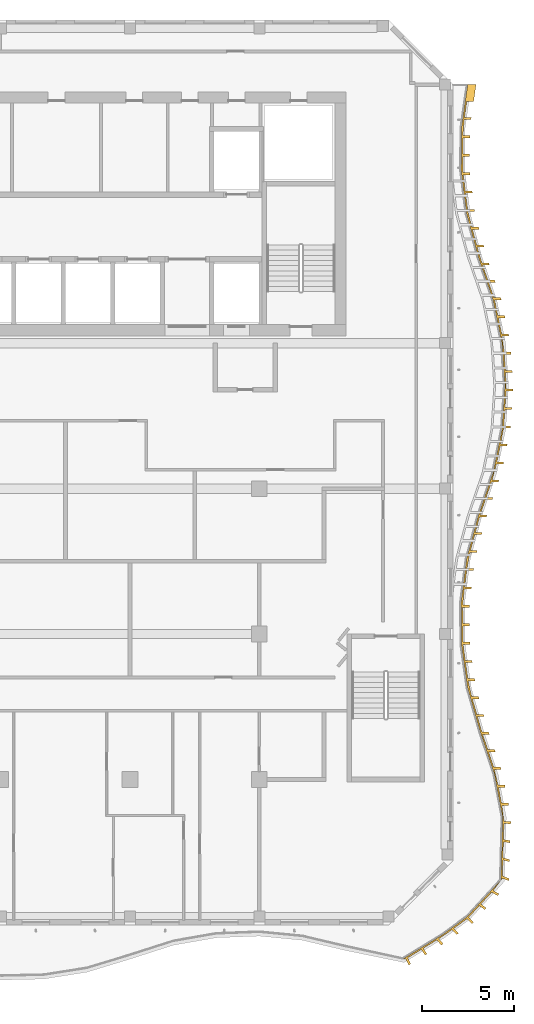
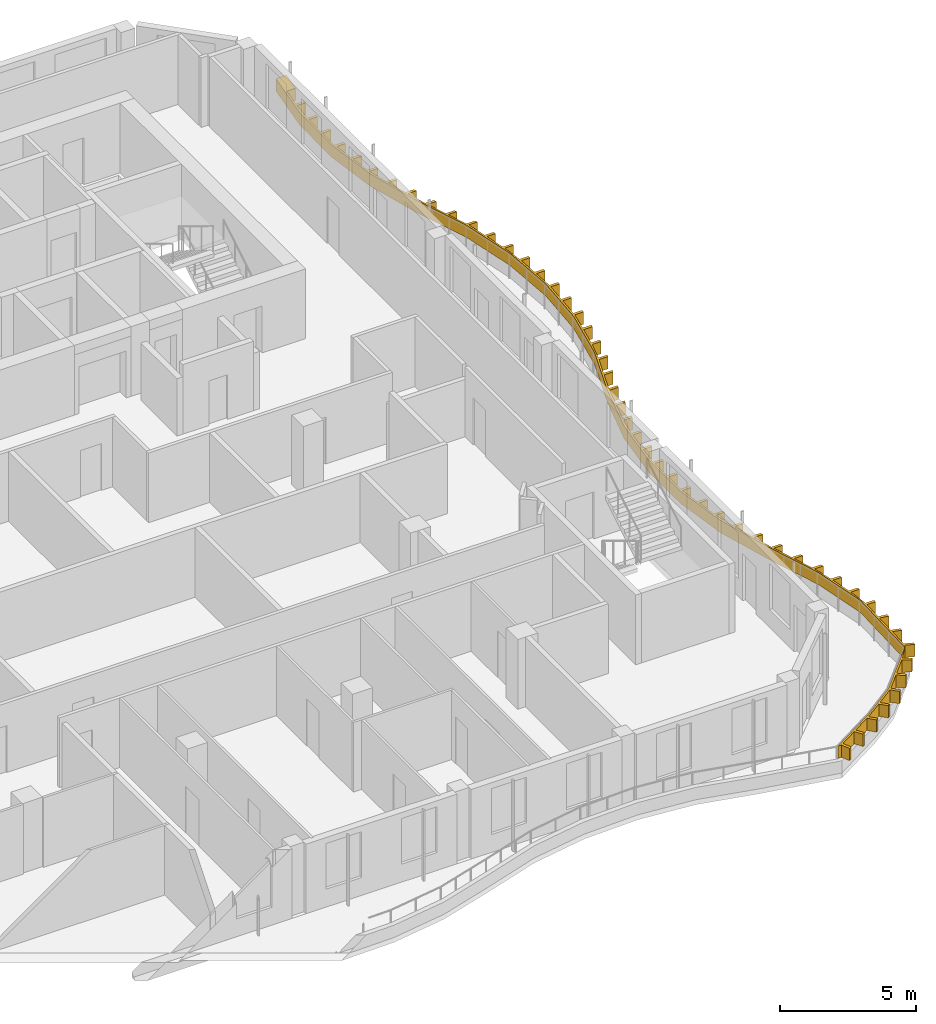
# One storey, part 14 of 17: 1 shading device.
"""IFC4 building model written with IfcOpenShell, lengths in metres."""

from ifc_helpers import new_model, si_unit, direction, frame, origin, place, context, subcontext, project, spatial, polyline, outline, extrude, source, transform, mapped, material, layer, layer_set, type_object, element, save


model = new_model("IFC4")

# Units and contexts
model_context = context("Model", 3, precision=1e-05, world=origin(), true_north=direction((0.0, 1.0)))
body_context = subcontext(model_context, "Body", "Model", "MODEL_VIEW")
ifc_project = project(units=[si_unit("LENGTHUNIT", "METRE"), si_unit("AREAUNIT", "SQUARE_METRE"), si_unit("VOLUMEUNIT", "CUBIC_METRE"), si_unit("PLANEANGLEUNIT", "RADIAN"), si_unit("MASSUNIT", "GRAM", prefix="KILO")], contexts=[model_context])

# Site, building, storey
site_placement = place(None, origin())
site = spatial("IfcSite", under=ifc_project, at=site_placement, CompositionType="ELEMENT")
building_placement = place(site_placement, origin())
building = spatial("IfcBuilding", under=site, at=building_placement, Name="Kilnfold Tower and Market Hall", CompositionType="ELEMENT")
storey_placement = place(building_placement, frame((0.0, 0.0, 305.199951171875)))
storey = spatial("IfcBuildingStorey", under=building, at=storey_placement, Name="L76", CompositionType="ELEMENT", Elevation=305.199951171875)

# Shading device
ifc_material = material(Name="Bronze anodised aluminium", Category="aluminium")
ifc_layer = layer(ifc_material, 0.550048828125)
ifc_layer_set = layer_set([ifc_layer], Name="Bronze anodised aluminium")
shading_device_type = type_object("IfcShadingDeviceType", Name="BRONZE SLAT FASCIA 550", PredefinedType="USERDEFINED", material=ifc_layer_set)
shared_shape = source(origin(), body_context, "Body", "SweptSolid", [
    extrude(outline(polyline([(21.08740234375, -25.6787109375), (20.937744140625, -25.341552734375), (20.8037109375, -25.331787109375), (22.888427734375, -24.054931640625), (24.239990234375, -23.0732421875), (26.085205078125, -21.07080078125), (26.1748046875, -17.666748046875), (25.730224609375, -15.333251953125), (24.949462890625, -13.0), (24.28076171875, -10.666748046875), (23.94775390625, -8.333251953125), (23.931396484375, -6.0), (24.230712890625, -3.666748046875), (24.86279296875, -1.333251953125), (25.66455078125, 1.0), (26.1435546875, 3.333251953125), (26.300048828125, 5.666748046875), (26.142333984375, 8.0), (25.662109375, 10.333251953125), (24.85986328125, 12.666748046875), (24.22900390625, 15.0), (23.930908203125, 17.333251953125), (23.948486328125, 19.666748046875), (24.282470703125, 22.0), (24.732421875, 22.0), (24.603515625, 21.098876953125), (24.2333984375, 21.098876953125), (24.108642578125, 20.227783203125), (24.478759765625, 20.227783203125), (24.461669921875, 20.10888671875), (24.091796875, 20.10888671875), (24.025146484375, 19.2333984375), (24.39501953125, 19.2333984375), (24.394287109375, 19.113525390625), (24.024169921875, 19.113525390625), (24.017578125, 18.233642578125), (24.3876953125, 18.233642578125), (24.38671875, 18.113525390625), (24.0166015625, 18.113525390625), (24.0234375, 17.234375), (24.393310546875, 17.234375), (24.40869140625, 17.115478515625), (24.038818359375, 17.115478515625), (24.150146484375, 16.242431640625), (24.520263671875, 16.242431640625), (24.535400390625, 16.123291015625), (24.165283203125, 16.123291015625), (24.277099609375, 15.25048828125), (24.64697265625, 15.25048828125), (24.662109375, 15.131591796875), (24.292236328125, 15.131591796875), (24.504150390625, 14.278564453125), (24.8740234375, 14.278564453125), (24.905517578125, 14.16259765625), (24.535400390625, 14.16259765625), (24.76513671875, 13.31298828125), (25.135009765625, 13.31298828125), (25.16650390625, 13.197265625), (24.79638671875, 13.197265625), (25.04736328125, 12.354248046875), (25.417236328125, 12.354248046875), (25.456298828125, 12.24072265625), (25.086181640625, 12.24072265625), (25.372314453125, 11.40869140625), (25.742431640625, 11.40869140625), (25.781494140625, 11.295166015625), (25.411376953125, 11.295166015625), (25.697509765625, 10.462890625), (26.0673828125, 10.462890625), (26.1064453125, 10.349609375), (25.736572265625, 10.349609375), (25.916015625, 9.488037109375), (26.2861328125, 9.488037109375), (26.310302734375, 9.37060546875), (25.940185546875, 9.37060546875), (26.11767578125, 8.5087890625), (26.48779296875, 8.5087890625), (26.511962890625, 8.39111328125), (26.141845703125, 8.39111328125), (26.2548828125, 7.5205078125), (26.624755859375, 7.5205078125), (26.6328125, 7.400634765625), (26.262939453125, 7.400634765625), (26.322265625, 6.522705078125), (26.692138671875, 6.522705078125), (26.7001953125, 6.403076171875), (26.330322265625, 6.403076171875), (26.37060546875, 5.52490234375), (26.740478515625, 5.52490234375), (26.732421875, 5.4052734375), (26.362548828125, 5.4052734375), (26.3037109375, 4.527099609375), (26.673583984375, 4.527099609375), (26.66552734375, 4.407470703125), (26.295654296875, 4.407470703125), (26.23681640625, 3.529296875), (26.606689453125, 3.529296875), (26.5986328125, 3.40966796875), (26.228759765625, 3.40966796875), (26.06201171875, 2.54638671875), (26.431884765625, 2.54638671875), (26.407958984375, 2.4287109375), (26.037841796875, 2.4287109375), (25.86083984375, 1.566650390625), (26.23095703125, 1.566650390625), (26.206787109375, 1.44921875), (25.836669921875, 1.44921875), (25.607666015625, 0.601318359375), (25.9775390625, 0.601318359375), (25.938720703125, 0.48779296875), (25.568603515625, 0.48779296875), (25.28271484375, -0.34423828125), (25.652587890625, -0.34423828125), (25.61376953125, -0.457763671875), (25.24365234375, -0.457763671875), (24.957763671875, -1.2900390625), (25.327880859375, -1.2900390625), (25.29345703125, -1.405029296875), (24.923583984375, -1.405029296875), (24.693359375, -2.25439453125), (25.063232421875, -2.25439453125), (25.031982421875, -2.3701171875), (24.662109375, -2.3701171875), (24.431884765625, -3.219482421875), (24.8017578125, -3.219482421875), (24.7705078125, -3.33544921875), (24.400390625, -3.33544921875), (24.242431640625, -4.19921875), (24.6123046875, -4.19921875), (24.59716796875, -4.318115234375), (24.22705078125, -4.318115234375), (24.115234375, -5.19091796875), (24.485107421875, -5.19091796875), (24.469970703125, -5.31005859375), (24.099853515625, -5.31005859375), (24.0126953125, -6.184326171875), (24.3828125, -6.184326171875), (24.383544921875, -6.30419921875), (24.013427734375, -6.30419921875), (24.019775390625, -7.184326171875), (24.3896484375, -7.184326171875), (24.390380859375, -7.30419921875), (24.0205078125, -7.30419921875), (24.026611328125, -8.184326171875), (24.396728515625, -8.184326171875), (24.3974609375, -8.30419921875), (24.027587890625, -8.30419921875), (24.14794921875, -9.17578125), (24.517822265625, -9.17578125), (24.534912109375, -9.294677734375), (24.164794921875, -9.294677734375), (24.289306640625, -10.165771484375), (24.6591796875, -10.165771484375), (24.67626953125, -10.284423828125), (24.30615234375, -10.284423828125), (24.496826171875, -11.1416015625), (24.86669921875, -11.1416015625), (24.89990234375, -11.2568359375), (24.52978515625, -11.2568359375), (24.772216796875, -12.102783203125), (25.142333984375, -12.102783203125), (25.17529296875, -12.21826171875), (24.805419921875, -12.21826171875), (25.05078125, -13.063232421875), (25.420654296875, -13.063232421875), (25.458740234375, -13.177001953125), (25.088623046875, -13.177001953125), (25.367919921875, -14.01171875), (25.738037109375, -14.01171875), (25.776123046875, -14.12548828125), (25.406005859375, -14.12548828125), (25.685302734375, -14.9599609375), (26.055419921875, -14.9599609375), (26.093505859375, -15.07373046875), (25.723388671875, -15.07373046875), (25.923583984375, -15.9287109375), (26.293701171875, -15.9287109375), (26.316162109375, -16.046630859375), (25.9462890625, -16.046630859375), (26.11083984375, -16.9111328125), (26.480712890625, -16.9111328125), (26.50341796875, -17.029052734375), (26.13330078125, -17.029052734375), (26.247802734375, -17.894287109375), (26.616455078125, -17.90380859375), (26.6123046875, -18.027099609375), (26.244140625, -18.0126953125), (26.21875, -18.880615234375), (26.5810546875, -18.930908203125), (26.57666015625, -19.05419921875), (26.215576171875, -18.998779296875), (26.19140625, -19.86669921875), (26.54541015625, -19.9580078125), (26.541259765625, -20.0810546875), (26.188232421875, -19.985107421875), (26.16552734375, -20.853271484375), (26.510009765625, -20.98486328125), (26.505615234375, -21.108154296875), (26.162353515625, -20.9716796875), (25.65966796875, -21.642822265625), (25.981689453125, -21.8173828125), (25.898193359375, -21.909423828125), (25.57958984375, -21.729736328125), (24.994140625, -22.36669921875), (25.28759765625, -22.584716796875), (25.20458984375, -22.6767578125), (24.91455078125, -22.453857421875), (24.33056640625, -23.09228515625), (24.593994140625, -23.351806640625), (24.55810546875, -23.3916015625), (24.502685546875, -23.431640625), (24.2412109375, -23.170166015625), (23.529052734375, -23.687255859375), (23.790771484375, -23.948974609375), (23.693603515625, -24.019287109375), (23.431884765625, -23.7578125), (22.711669921875, -24.253662109375), (22.9609375, -24.524658203125), (22.854736328125, -24.58984375), (22.611083984375, -24.31494140625), (21.8740234375, -24.765380859375), (22.0771484375, -25.069091796875), (21.97119140625, -25.134521484375), (21.773681640625, -24.8271484375), (21.0380859375, -25.27978515625), (21.193359375, -25.613525390625), (21.08740234375, -25.6787109375)])), origin(), (0.0, 0.0, 1.0), 0.550048828125),
])
shading_device_placement = place(storey_placement, frame((0.0, 0.0, 0.550048828125)))
element("IfcShadingDevice", 1, at=shading_device_placement, inside=storey, type_object=shading_device_type, Name="Balcony slat fascia L76", ObjectType="SLAT", PredefinedType="USERDEFINED", context=body_context, shape_type="MappedRepresentation", body=[
    mapped(shared_shape, transform((0.0, 0.0, 0.0))),
])

save(model, "model.ifc")
